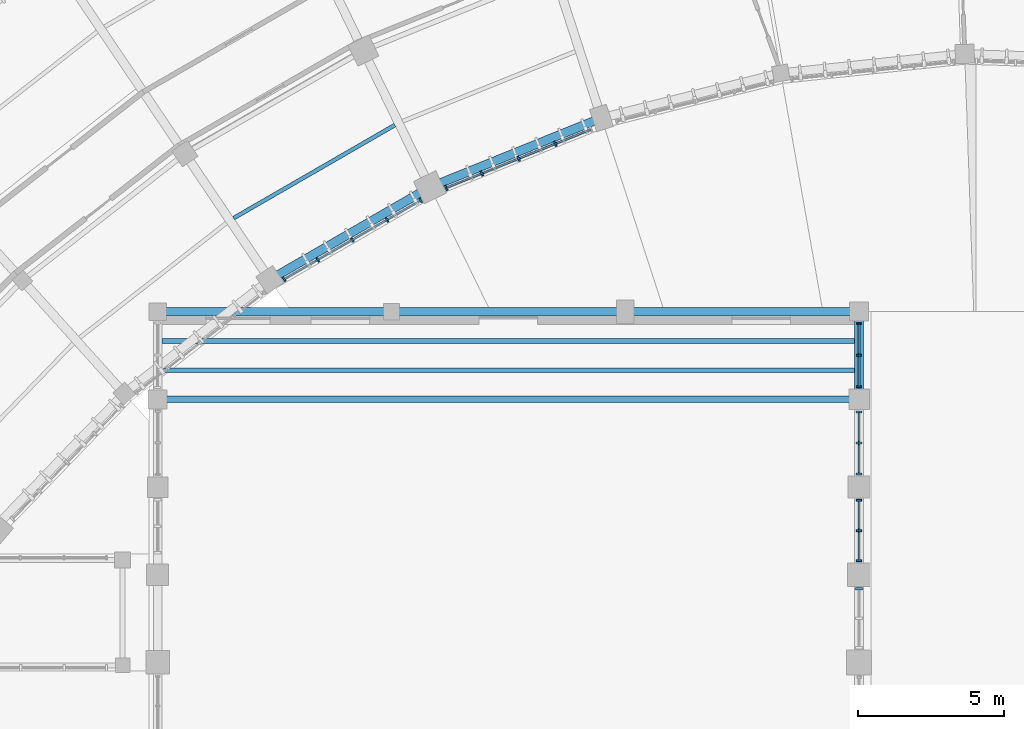
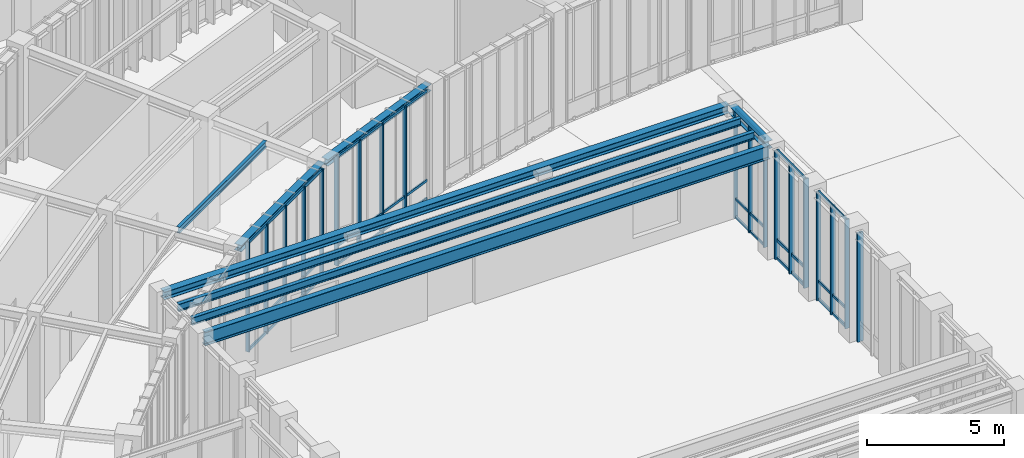
# One storey, part 13 of 68: 34 members, 8 beams, 6 elements without a shape of their own.
"""IFC4 building model written with IfcOpenShell, lengths in metres."""

from ifc_helpers import new_model, si_unit, direction, frame, origin, origin_2d, place, context, subcontext, project, spatial, rectangle, i_section, extrude, material, layer, layer_set, material_profile, profile_set, type_object, element, aggregate, save


model = new_model("IFC4")

# Units and contexts
model_context = context("Model", 3, precision=1e-05, world=origin(), true_north=direction((0.0, 1.0)))
body_context = subcontext(model_context, "Body", "Model", "MODEL_VIEW")
ifc_project = project(units=[si_unit("LENGTHUNIT", "METRE"), si_unit("AREAUNIT", "SQUARE_METRE"), si_unit("VOLUMEUNIT", "CUBIC_METRE"), si_unit("PLANEANGLEUNIT", "RADIAN"), si_unit("MASSUNIT", "GRAM", prefix="KILO"), si_unit("THERMODYNAMICTEMPERATUREUNIT", "KELVIN"), si_unit("POWERUNIT", "WATT")], contexts=[model_context])

# Site, building, storey
site_placement = place(None, origin())
site = spatial("IfcSite", under=ifc_project, at=site_placement, CompositionType="ELEMENT")
building_placement = place(site_placement, origin())
building = spatial("IfcBuilding", under=site, at=building_placement, Name="Solvatero Civic Police Headquarters", CompositionType="ELEMENT")
storey_placement = place(building_placement, origin())
storey = spatial("IfcBuildingStorey", under=building, at=storey_placement, Name="L00", CompositionType="ELEMENT", Elevation=0.0)

# Beams
ifc_material_1 = material(Name="Steel S355", Category="steel")
ifc_material_profile_1 = material_profile(ifc_material_1, i_section(OverallWidth=0.300048828125, OverallDepth=0.2900390625, WebThickness=0.008544921875, FlangeThickness=0.013916015625, FilletRadius=0.027099609375, at=origin_2d()), Name="HEA 300")
ifc_profile_set_1 = profile_set([ifc_material_profile_1], Name="Steel S355")
beam_type_1 = type_object("IfcBeamType", Name="BM-ST-HEA300", PredefinedType="SPANDREL", material=ifc_profile_set_1)
for number, where, z_axis, x_axis, name in (
    (1, (79.893310546875, 69.093017578125, 4.735107421875), (-0.927182224478, -0.374610628001, 0.0), (0.374610628001, -0.927182224478, 0.0), "Perimeter / radial spandrel beam BM-R2-L00-ARC-CIN-B04"),
    (2, (74.033203125, 66.710205078125, 4.735107421875), (-0.86603495258, -0.499983460637, 0.0), (0.499983460637, -0.86603495258, 0.0), "Perimeter / radial spandrel beam BM-R2-L00-ARC-CIN-B05"),
):
    element("IfcBeam", number, at=place(storey_placement, frame(where, z_axis=z_axis, x_axis=x_axis)), inside=storey, type_object=beam_type_1, Name=name, PredefinedType="SPANDREL", context=body_context, shape_type="SweptSolid", body=[
        extrude(i_section(OverallWidth=0.300048828125, OverallDepth=0.2900390625, WebThickness=0.008544921875, FlangeThickness=0.013916015625, FilletRadius=0.027099609375, at=origin_2d()), origin(), (0.0, 0.0, 1.0), 6.126708984375),
    ])
ifc_material_profile_2 = material_profile(ifc_material_1, i_section(OverallWidth=0.300048828125, OverallDepth=0.35009765625, WebThickness=0.010009765625, FlangeThickness=0.017578125, FilletRadius=0.027099609375, at=origin_2d()), Name="HEA 360")
ifc_profile_set_2 = profile_set([ifc_material_profile_2], Name="Steel S355")
beam_type_2 = type_object("IfcBeamType", Name="BM-ST-HEA360", PredefinedType="SPANDREL", material=ifc_profile_set_2)
beam_1_placement = place(storey_placement, frame((64.89990234375, 62.5, 4.705078125), z_axis=(1.0, 0.0, 0.0), x_axis=(0.0, 1.0, 0.0)))
element("IfcBeam", 3, at=beam_1_placement, inside=storey, type_object=beam_type_2, Name="Perimeter / radial spandrel beam BM-R2-L00-V2-GX-1-4", PredefinedType="SPANDREL", context=body_context, shape_type="SweptSolid", body=[
    extrude(i_section(OverallWidth=0.300048828125, OverallDepth=0.35009765625, WebThickness=0.010009765625, FlangeThickness=0.017578125, FilletRadius=0.027099609375, at=origin_2d()), origin(), (0.0, 0.0, 1.0), 23.800048828125),
])
beam_2_placement = place(storey_placement, frame((88.800048828125, 59.659912109375, 4.705078125), z_axis=(0.0, 1.0, 0.0), x_axis=(-1.0, 0.0, 0.0)))
element("IfcBeam", 4, at=beam_2_placement, inside=storey, type_object=beam_type_2, Name="Perimeter / radial spandrel beam BM-R2-L00-V2-GY-2-3", PredefinedType="SPANDREL", context=body_context, shape_type="SweptSolid", body=[
    extrude(i_section(OverallWidth=0.300048828125, OverallDepth=0.35009765625, WebThickness=0.010009765625, FlangeThickness=0.017578125, FilletRadius=0.027099609375, at=origin_2d()), origin(), (0.0, 0.0, 1.0), 2.68017578125),
])
ifc_material_profile_3 = material_profile(ifc_material_1, i_section(OverallWidth=0.135009765625, OverallDepth=0.27001953125, WebThickness=0.006591796875, FlangeThickness=0.01025390625, FilletRadius=0.014892578125, at=origin_2d()), Name="IPE 270")
ifc_profile_set_3 = profile_set([ifc_material_profile_3], Name="Steel S355")
beam_type_3 = type_object("IfcBeamType", Name="BM-ST-IPE270", PredefinedType="BEAM", material=ifc_profile_set_3)
beam_3_placement = place(storey_placement, frame((72.916015625, 68.887451171875, 4.7451171875), z_axis=(-0.866017059223, -0.500014452926, 0.0), x_axis=(0.500014452926, -0.866017059223, 0.0)))
element("IfcBeam", 5, at=beam_3_placement, inside=storey, type_object=beam_type_3, Name="Composite floor beam BM-R2-L00-ARC-CS1-B05", PredefinedType="BEAM", context=body_context, shape_type="SweptSolid", body=[
    extrude(i_section(OverallWidth=0.135009765625, OverallDepth=0.27001953125, WebThickness=0.006591796875, FlangeThickness=0.01025390625, FilletRadius=0.014892578125, at=origin_2d()), origin(), (0.0, 0.0, 1.0), 6.368896484375),
])
ifc_material_profile_4 = material_profile(ifc_material_1, i_section(OverallWidth=0.159912109375, OverallDepth=0.330078125, WebThickness=0.007568359375, FlangeThickness=0.011474609375, FilletRadius=0.01806640625, at=origin_2d()), Name="IPE 330")
ifc_profile_set_4 = profile_set([ifc_material_profile_4], Name="Steel S355")
beam_type_4 = type_object("IfcBeamType", Name="BM-ST-IPE330", PredefinedType="BEAM", material=ifc_profile_set_4)
for number, where, z_axis, x_axis, name in (
    (6, (64.949951171875, 60.5, 4.715087890625), (1.0, 0.0, 0.0), (0.0, 1.0, 0.0), "Composite floor beam BM-R2-L00-V2-SEC-1-3-S1"),
    (7, (64.949951171875, 61.5, 4.715087890625), (1.0, 0.0, 0.0), (0.0, 1.0, 0.0), "Composite floor beam BM-R2-L00-V2-SEC-1-3-S2"),
):
    element("IfcBeam", number, at=place(storey_placement, frame(where, z_axis=z_axis, x_axis=x_axis)), inside=storey, type_object=beam_type_4, Name=name, PredefinedType="BEAM", context=body_context, shape_type="SweptSolid", body=[
        extrude(i_section(OverallWidth=0.159912109375, OverallDepth=0.330078125, WebThickness=0.007568359375, FlangeThickness=0.011474609375, FilletRadius=0.01806640625, at=origin_2d()), origin(), (0.0, 0.0, 1.0), 23.699951171875),
    ])
ifc_material_profile_5 = material_profile(ifc_material_1, i_section(OverallWidth=0.219970703125, OverallDepth=0.60009765625, WebThickness=0.011962890625, FlangeThickness=0.01904296875, FilletRadius=0.02392578125, at=origin_2d()), Name="IPE 600")
ifc_profile_set_5 = profile_set([ifc_material_profile_5], Name="Steel S355")
beam_type_5 = type_object("IfcBeamType", Name="BM-ST-IPE600", PredefinedType="BEAM", material=ifc_profile_set_5)
beam_4_placement = place(storey_placement, frame((64.89990234375, 59.5, 4.580078125), z_axis=(1.0, 0.0, 0.0), x_axis=(0.0, 1.0, 0.0)))
element("IfcBeam", 8, at=beam_4_placement, inside=storey, type_object=beam_type_5, Name="Primary girder BM-R2-L00-V2-GX-1-3", PredefinedType="BEAM", context=body_context, shape_type="SweptSolid", body=[
    extrude(i_section(OverallWidth=0.219970703125, OverallDepth=0.60009765625, WebThickness=0.011962890625, FlangeThickness=0.01904296875, FilletRadius=0.02392578125, at=origin_2d()), origin(), (0.0, 0.0, 1.0), 23.800048828125),
])

# Curtain wall, member
ifc_material_2 = material(Name="Anodized Bronze Aluminium", Category="aluminium")
ifc_layer_1 = layer(ifc_material_2, 0.179931640625)
ifc_layer_set_1 = layer_set([ifc_layer_1], Name="Anodized Bronze Aluminium")
curtain_wall_type_1 = type_object("IfcCurtainWallType", Name="CW-HAL-GLZ", PredefinedType="USERDEFINED", material=ifc_layer_set_1)
curtain_wall_1_placement = place(storey_placement, origin())
curtain_wall_1 = element("IfcCurtainWall", 9, at=curtain_wall_1_placement, inside=storey, type_object=curtain_wall_type_1, Name="Curtain Wall CW-R2-L00-V2-E-B4", ObjectType="UNITISED", PredefinedType="USERDEFINED")
ifc_material_profile_6 = material_profile(ifc_material_2, rectangle(XDim=0.080078125, YDim=0.239990234375, at=origin_2d()), Name="ALU MULLION 80x240")
ifc_profile_set_6 = profile_set([ifc_material_profile_6], Name="Anodized Bronze Aluminium")
member_type_1 = type_object("IfcMemberType", Name="CWM-140x60", PredefinedType="MULLION", material=ifc_profile_set_6)
member_1_placement = place(storey_placement, frame((88.800048828125, 53.02001953125, 0.0), z_axis=(0.0, 0.0, 1.0), x_axis=(0.0, 1.0, 0.0)))
member_1 = element("IfcMember", 10, at=member_1_placement, type_object=member_type_1, Name="CW-R2-L00-V2-E-B4 Mullion 3", PredefinedType="MULLION", context=body_context, shape_type="SweptSolid", body=[
    extrude(rectangle(XDim=0.080078125, YDim=0.239990234375, at=origin_2d()), origin(), (0.0, 0.0, 1.0), 4.860107421875),
])
aggregate(curtain_wall_1, [member_1])

# Curtain wall, members
ifc_layer_2 = layer(ifc_material_2, 0.179931640625)
ifc_layer_set_2 = layer_set([ifc_layer_2], Name="Anodized Bronze Aluminium")
curtain_wall_type_2 = type_object("IfcCurtainWallType", Name="CW-ARC-IN", PredefinedType="USERDEFINED", material=ifc_layer_set_2)
curtain_wall_2_placement = place(storey_placement, origin())
curtain_wall_2 = element("IfcCurtainWall", 11, at=curtain_wall_2_placement, inside=storey, type_object=curtain_wall_type_2, Name="Curtain Wall CW-R2-L00-ARC-IN-B05", ObjectType="UNITISED", PredefinedType="USERDEFINED")
ifc_material_profile_7 = material_profile(ifc_material_2, rectangle(XDim=0.06005859375, YDim=0.159912109375, at=origin_2d()), Name="ALU MULLION 60x160")
ifc_profile_set_7 = profile_set([ifc_material_profile_7], Name="Anodized Bronze Aluminium")
member_type_2 = type_object("IfcMemberType", Name="CWM-180x70", PredefinedType="MULLION", material=ifc_profile_set_7)
member_2_placement = place(storey_placement, frame((73.79736328125, 66.30908203125, 0.0), z_axis=(0.0, 0.0, 1.0), x_axis=(-0.866025403784, -0.5, 0.0)))
member_2 = element("IfcMember", 12, at=member_2_placement, type_object=member_type_2, Name="CW-R2-L00-ARC-IN-B05 Mullion 1", PredefinedType="MULLION", context=body_context, shape_type="SweptSolid", body=[
    extrude(rectangle(XDim=0.06005859375, YDim=0.159912109375, at=origin_2d()), origin(), (0.0, 0.0, 1.0), 4.8798828125),
])
member_3_placement = place(storey_placement, frame((72.647216796875, 65.645263671875, 0.0), z_axis=(0.0, 0.0, 1.0), x_axis=(-0.866025403784, -0.5, 0.0)))
member_3 = element("IfcMember", 13, at=member_3_placement, type_object=member_type_2, Name="CW-R2-L00-ARC-IN-B05 Mullion 2", PredefinedType="MULLION", context=body_context, shape_type="SweptSolid", body=[
    extrude(rectangle(XDim=0.06005859375, YDim=0.159912109375, at=origin_2d()), origin(), (0.0, 0.0, 1.0), 4.8798828125),
])
member_4_placement = place(storey_placement, frame((71.46240234375, 64.961181640625, 0.0), z_axis=(0.0, 0.0, 1.0), x_axis=(-0.866025403784, -0.5, 0.0)))
member_4 = element("IfcMember", 14, at=member_4_placement, type_object=member_type_2, Name="CW-R2-L00-ARC-IN-B05 Mullion 3", PredefinedType="MULLION", context=body_context, shape_type="SweptSolid", body=[
    extrude(rectangle(XDim=0.06005859375, YDim=0.159912109375, at=origin_2d()), origin(), (0.0, 0.0, 1.0), 4.8798828125),
])
member_5_placement = place(storey_placement, frame((70.27783203125, 64.277099609375, 0.0), z_axis=(0.0, 0.0, 1.0), x_axis=(-0.866025403784, -0.5, 0.0)))
member_5 = element("IfcMember", 15, at=member_5_placement, type_object=member_type_2, Name="CW-R2-L00-ARC-IN-B05 Mullion 4", PredefinedType="MULLION", context=body_context, shape_type="SweptSolid", body=[
    extrude(rectangle(XDim=0.06005859375, YDim=0.159912109375, at=origin_2d()), origin(), (0.0, 0.0, 1.0), 4.8798828125),
])
member_6_placement = place(storey_placement, frame((69.127685546875, 63.61328125, 0.0), z_axis=(0.0, 0.0, 1.0), x_axis=(-0.866025403784, -0.5, 0.0)))
member_6 = element("IfcMember", 16, at=member_6_placement, type_object=member_type_2, Name="CW-R2-L00-ARC-IN-B05 Mullion 5", PredefinedType="MULLION", context=body_context, shape_type="SweptSolid", body=[
    extrude(rectangle(XDim=0.06005859375, YDim=0.159912109375, at=origin_2d()), origin(), (0.0, 0.0, 1.0), 4.8798828125),
])

curtain_wall_3_placement = place(storey_placement, origin())
curtain_wall_3 = element("IfcCurtainWall", 17, at=curtain_wall_3_placement, inside=storey, type_object=curtain_wall_type_1, Name="Curtain Wall CW-R2-L00-V2-E-B7", ObjectType="UNITISED", PredefinedType="USERDEFINED")
member_7_placement = place(storey_placement, frame((88.800048828125, 59.929931640625, 0.0), z_axis=(0.0, 0.0, 1.0), x_axis=(0.0, 1.0, 0.0)))
member_7 = element("IfcMember", 18, at=member_7_placement, type_object=member_type_2, Name="CW-R2-L00-V2-E-B7 Mullion 1", PredefinedType="MULLION", context=body_context, shape_type="SweptSolid", body=[
    extrude(rectangle(XDim=0.06005859375, YDim=0.159912109375, at=origin_2d()), origin(), (0.0, 0.0, 1.0), 4.860107421875),
])
member_8_placement = place(storey_placement, frame((88.800048828125, 61.012451171875, 0.0), z_axis=(0.0, 0.0, 1.0), x_axis=(0.0, 1.0, 0.0)))
member_8 = element("IfcMember", 19, at=member_8_placement, type_object=member_type_2, Name="CW-R2-L00-V2-E-B7 Mullion 2", PredefinedType="MULLION", context=body_context, shape_type="SweptSolid", body=[
    extrude(rectangle(XDim=0.06005859375, YDim=0.159912109375, at=origin_2d()), origin(), (0.0, 0.0, 1.0), 4.860107421875),
])
member_9_placement = place(storey_placement, frame((88.800048828125, 62.094970703125, 0.0), z_axis=(0.0, 0.0, 1.0), x_axis=(0.0, 1.0, 0.0)))
member_9 = element("IfcMember", 20, at=member_9_placement, type_object=member_type_2, Name="CW-R2-L00-V2-E-B7 Mullion 3", PredefinedType="MULLION", context=body_context, shape_type="SweptSolid", body=[
    extrude(rectangle(XDim=0.06005859375, YDim=0.159912109375, at=origin_2d()), origin(), (0.0, 0.0, 1.0), 4.860107421875),
])

curtain_wall_4_placement = place(storey_placement, origin())
curtain_wall_4 = element("IfcCurtainWall", 21, at=curtain_wall_4_placement, inside=storey, type_object=curtain_wall_type_2, Name="Curtain Wall CW-R2-L00-ARC-IN-B04", ObjectType="UNITISED", PredefinedType="USERDEFINED")
ifc_material_profile_8 = material_profile(ifc_material_2, rectangle(XDim=0.06494140625, YDim=0.179931640625, at=origin_2d()), Name="ALU MULLION 65x180")
ifc_profile_set_8 = profile_set([ifc_material_profile_8], Name="Anodized Bronze Aluminium")
member_type_3 = type_object("IfcMemberType", Name="CWM-200x75", PredefinedType="MULLION", material=ifc_profile_set_8)
member_10_placement = place(storey_placement, frame((78.4072265625, 68.2451171875, 0.0), z_axis=(0.0, 0.0, 1.0), x_axis=(-0.927183854567, -0.374606593416, 0.0)))
member_10 = element("IfcMember", 22, at=member_10_placement, type_object=member_type_3, Name="CW-R2-L00-ARC-IN-B04 Mullion 2", PredefinedType="MULLION", context=body_context, shape_type="SweptSolid", body=[
    extrude(rectangle(XDim=0.06494140625, YDim=0.179931640625, at=origin_2d()), origin(), (0.0, 0.0, 1.0), 4.8798828125),
])
member_11_placement = place(storey_placement, frame((77.150390625, 67.7373046875, 0.0), z_axis=(0.0, 0.0, 1.0), x_axis=(-0.927183854567, -0.374606593416, 0.0)))
member_11 = element("IfcMember", 23, at=member_11_placement, type_object=member_type_3, Name="CW-R2-L00-ARC-IN-B04 Mullion 3", PredefinedType="MULLION", context=body_context, shape_type="SweptSolid", body=[
    extrude(rectangle(XDim=0.06494140625, YDim=0.179931640625, at=origin_2d()), origin(), (0.0, 0.0, 1.0), 4.8798828125),
])
member_12_placement = place(storey_placement, frame((75.893798828125, 67.2294921875, 0.0), z_axis=(0.0, 0.0, 1.0), x_axis=(-0.927183854567, -0.374606593416, 0.0)))
member_12 = element("IfcMember", 24, at=member_12_placement, type_object=member_type_3, Name="CW-R2-L00-ARC-IN-B04 Mullion 4", PredefinedType="MULLION", context=body_context, shape_type="SweptSolid", body=[
    extrude(rectangle(XDim=0.06494140625, YDim=0.179931640625, at=origin_2d()), origin(), (0.0, 0.0, 1.0), 4.8798828125),
])
member_13_placement = place(storey_placement, frame((74.674072265625, 66.73681640625, 0.0), z_axis=(0.0, 0.0, 1.0), x_axis=(-0.927183854567, -0.374606593416, 0.0)))
member_13 = element("IfcMember", 25, at=member_13_placement, type_object=member_type_3, Name="CW-R2-L00-ARC-IN-B04 Mullion 5", PredefinedType="MULLION", context=body_context, shape_type="SweptSolid", body=[
    extrude(rectangle(XDim=0.06494140625, YDim=0.179931640625, at=origin_2d()), origin(), (0.0, 0.0, 1.0), 4.8798828125),
])

curtain_wall_5_placement = place(storey_placement, origin())
curtain_wall_5 = element("IfcCurtainWall", 26, at=curtain_wall_5_placement, inside=storey, type_object=curtain_wall_type_1, Name="Curtain Wall CW-R2-L00-V2-E-B5", ObjectType="UNITISED", PredefinedType="USERDEFINED")
member_14_placement = place(storey_placement, frame((88.800048828125, 53.97998046875, 0.0), z_axis=(0.0, 0.0, 1.0), x_axis=(0.0, 1.0, 0.0)))
member_14 = element("IfcMember", 27, at=member_14_placement, type_object=member_type_3, Name="CW-R2-L00-V2-E-B5 Mullion 1", PredefinedType="MULLION", context=body_context, shape_type="SweptSolid", body=[
    extrude(rectangle(XDim=0.06494140625, YDim=0.179931640625, at=origin_2d()), origin(), (0.0, 0.0, 1.0), 4.860107421875),
])
member_15_placement = place(storey_placement, frame((88.800048828125, 55.012451171875, 0.0), z_axis=(0.0, 0.0, 1.0), x_axis=(0.0, 1.0, 0.0)))
member_15 = element("IfcMember", 28, at=member_15_placement, type_object=member_type_3, Name="CW-R2-L00-V2-E-B5 Mullion 2", PredefinedType="MULLION", context=body_context, shape_type="SweptSolid", body=[
    extrude(rectangle(XDim=0.06494140625, YDim=0.179931640625, at=origin_2d()), origin(), (0.0, 0.0, 1.0), 4.860107421875),
])
member_16_placement = place(storey_placement, frame((88.800048828125, 56.044921875, 0.0), z_axis=(0.0, 0.0, 1.0), x_axis=(0.0, 1.0, 0.0)))
member_16 = element("IfcMember", 29, at=member_16_placement, type_object=member_type_3, Name="CW-R2-L00-V2-E-B5 Mullion 3", PredefinedType="MULLION", context=body_context, shape_type="SweptSolid", body=[
    extrude(rectangle(XDim=0.06494140625, YDim=0.179931640625, at=origin_2d()), origin(), (0.0, 0.0, 1.0), 4.860107421875),
])

curtain_wall_6_placement = place(storey_placement, origin())
curtain_wall_6 = element("IfcCurtainWall", 30, at=curtain_wall_6_placement, inside=storey, type_object=curtain_wall_type_1, Name="Curtain Wall CW-R2-L00-V2-E-B6", ObjectType="UNITISED", PredefinedType="USERDEFINED")
ifc_material_profile_9 = material_profile(ifc_material_2, rectangle(XDim=0.070068359375, YDim=0.199951171875, at=origin_2d()), Name="ALU MULLION 70x200")
ifc_profile_set_9 = profile_set([ifc_material_profile_9], Name="Anodized Bronze Aluminium")
member_type_4 = type_object("IfcMemberType", Name="CWM-220x80", PredefinedType="MULLION", material=ifc_profile_set_9)
member_17_placement = place(storey_placement, frame((88.800048828125, 56.955078125, 0.0), z_axis=(0.0, 0.0, 1.0), x_axis=(0.0, 1.0, 0.0)))
member_17 = element("IfcMember", 31, at=member_17_placement, type_object=member_type_4, Name="CW-R2-L00-V2-E-B6 Mullion 1", PredefinedType="MULLION", context=body_context, shape_type="SweptSolid", body=[
    extrude(rectangle(XDim=0.070068359375, YDim=0.199951171875, at=origin_2d()), origin(), (0.0, 0.0, 1.0), 4.860107421875),
])
member_18_placement = place(storey_placement, frame((88.800048828125, 58.012451171875, 0.0), z_axis=(0.0, 0.0, 1.0), x_axis=(0.0, 1.0, 0.0)))
member_18 = element("IfcMember", 32, at=member_18_placement, type_object=member_type_4, Name="CW-R2-L00-V2-E-B6 Mullion 2", PredefinedType="MULLION", context=body_context, shape_type="SweptSolid", body=[
    extrude(rectangle(XDim=0.070068359375, YDim=0.199951171875, at=origin_2d()), origin(), (0.0, 0.0, 1.0), 4.860107421875),
])
member_19_placement = place(storey_placement, frame((88.800048828125, 59.070068359375, 0.0), z_axis=(0.0, 0.0, 1.0), x_axis=(0.0, 1.0, 0.0)))
member_19 = element("IfcMember", 33, at=member_19_placement, type_object=member_type_4, Name="CW-R2-L00-V2-E-B6 Mullion 3", PredefinedType="MULLION", context=body_context, shape_type="SweptSolid", body=[
    extrude(rectangle(XDim=0.070068359375, YDim=0.199951171875, at=origin_2d()), origin(), (0.0, 0.0, 1.0), 4.860107421875),
])

# Member
ifc_material_profile_10 = material_profile(ifc_material_2, rectangle(XDim=0.06005859375, YDim=0.110107421875, at=origin_2d()), Name="ALU TRANSOM 60x110")
ifc_profile_set_10 = profile_set([ifc_material_profile_10], Name="Anodized Bronze Aluminium")
member_type_5 = type_object("IfcMemberType", Name="CWT-140x60", PredefinedType="USERDEFINED", material=ifc_profile_set_10)
member_20_placement = place(storey_placement, frame((79.61767578125, 68.734130859375, 0.0400390625), z_axis=(-0.927180254302, -0.374615504261, 0.0), x_axis=(0.374615504261, -0.927180254302, 0.0)))
member_20 = element("IfcMember", 34, at=member_20_placement, type_object=member_type_5, Name="CW-R2-L00-ARC-IN-B04 Transom 1", ObjectType="TRANSOM", PredefinedType="USERDEFINED", context=body_context, shape_type="SweptSolid", body=[
    extrude(rectangle(XDim=0.06005859375, YDim=0.110107421875, at=origin_2d()), origin(), (0.0, 0.0, 1.0), 5.32177734375),
])

member_21_placement = place(storey_placement, frame((79.61767578125, 68.734130859375, 0.85009765625), z_axis=(-0.927180254302, -0.374615504261, 0.0), x_axis=(0.374615504261, -0.927180254302, 0.0)))
member_21 = element("IfcMember", 35, at=member_21_placement, type_object=member_type_5, Name="CW-R2-L00-ARC-IN-B04 Transom 2", ObjectType="TRANSOM", PredefinedType="USERDEFINED", context=body_context, shape_type="SweptSolid", body=[
    extrude(rectangle(XDim=0.06005859375, YDim=0.110107421875, at=origin_2d()), origin(), (0.0, 0.0, 1.0), 5.32177734375),
])

member_22_placement = place(storey_placement, frame((79.61767578125, 68.734130859375, 4.840087890625), z_axis=(-0.927180254302, -0.374615504261, 0.0), x_axis=(0.374615504261, -0.927180254302, 0.0)))
member_22 = element("IfcMember", 36, at=member_22_placement, type_object=member_type_5, Name="CW-R2-L00-ARC-IN-B04 Transom 3", ObjectType="TRANSOM", PredefinedType="USERDEFINED", context=body_context, shape_type="SweptSolid", body=[
    extrude(rectangle(XDim=0.06005859375, YDim=0.110107421875, at=origin_2d()), origin(), (0.0, 0.0, 1.0), 5.32177734375),
])

aggregate(curtain_wall_4, [member_10, member_11, member_12, member_13, member_20, member_21, member_22])

member_23_placement = place(storey_placement, frame((88.800048828125, 59.93994140625, 0.0400390625), z_axis=(0.0, 1.0, 0.0), x_axis=(-1.0, 0.0, 0.0)))
member_23 = element("IfcMember", 37, at=member_23_placement, type_object=member_type_5, Name="CW-R2-L00-V2-E-B7 Transom 1", ObjectType="TRANSOM", PredefinedType="USERDEFINED", context=body_context, shape_type="SweptSolid", body=[
    extrude(rectangle(XDim=0.06005859375, YDim=0.110107421875, at=origin_2d()), origin(), (0.0, 0.0, 1.0), 2.14501953125),
])

member_24_placement = place(storey_placement, frame((88.800048828125, 59.93994140625, 0.85009765625), z_axis=(0.0, 1.0, 0.0), x_axis=(-1.0, 0.0, 0.0)))
member_24 = element("IfcMember", 38, at=member_24_placement, type_object=member_type_5, Name="CW-R2-L00-V2-E-B7 Transom 2", ObjectType="TRANSOM", PredefinedType="USERDEFINED", context=body_context, shape_type="SweptSolid", body=[
    extrude(rectangle(XDim=0.06005859375, YDim=0.110107421875, at=origin_2d()), origin(), (0.0, 0.0, 1.0), 2.14501953125),
])

member_25_placement = place(storey_placement, frame((88.800048828125, 59.93994140625, 4.820068359375), z_axis=(0.0, 1.0, 0.0), x_axis=(-1.0, 0.0, 0.0)))
member_25 = element("IfcMember", 39, at=member_25_placement, type_object=member_type_5, Name="CW-R2-L00-V2-E-B7 Transom 3", ObjectType="TRANSOM", PredefinedType="USERDEFINED", context=body_context, shape_type="SweptSolid", body=[
    extrude(rectangle(XDim=0.06005859375, YDim=0.110107421875, at=origin_2d()), origin(), (0.0, 0.0, 1.0), 2.14501953125),
])

aggregate(curtain_wall_3, [member_7, member_8, member_9, member_23, member_24, member_25])

ifc_material_profile_11 = material_profile(ifc_material_2, rectangle(XDim=0.06005859375, YDim=0.125, at=origin_2d()), Name="ALU TRANSOM 60x125")
ifc_profile_set_11 = profile_set([ifc_material_profile_11], Name="Anodized Bronze Aluminium")
member_type_6 = type_object("IfcMemberType", Name="CWT-160x65", PredefinedType="USERDEFINED", material=ifc_profile_set_11)
member_26_placement = place(storey_placement, frame((73.78857421875, 66.30419921875, 0.0400390625), z_axis=(-0.866013780368, -0.500020131808, 0.0), x_axis=(0.500020131808, -0.866013780368, 0.0)))
member_26 = element("IfcMember", 40, at=member_26_placement, type_object=member_type_6, Name="CW-R2-L00-ARC-IN-B05 Transom 1", ObjectType="TRANSOM", PredefinedType="USERDEFINED", context=body_context, shape_type="SweptSolid", body=[
    extrude(rectangle(XDim=0.06005859375, YDim=0.125, at=origin_2d()), origin(), (0.0, 0.0, 1.0), 5.371826171875),
])

member_27_placement = place(storey_placement, frame((73.78857421875, 66.30419921875, 0.85009765625), z_axis=(-0.866013780368, -0.500020131808, 0.0), x_axis=(0.500020131808, -0.866013780368, 0.0)))
member_27 = element("IfcMember", 41, at=member_27_placement, type_object=member_type_6, Name="CW-R2-L00-ARC-IN-B05 Transom 2", ObjectType="TRANSOM", PredefinedType="USERDEFINED", context=body_context, shape_type="SweptSolid", body=[
    extrude(rectangle(XDim=0.06005859375, YDim=0.125, at=origin_2d()), origin(), (0.0, 0.0, 1.0), 5.371826171875),
])

member_28_placement = place(storey_placement, frame((73.78857421875, 66.30419921875, 4.840087890625), z_axis=(-0.866013780368, -0.500020131808, 0.0), x_axis=(0.500020131808, -0.866013780368, 0.0)))
member_28 = element("IfcMember", 42, at=member_28_placement, type_object=member_type_6, Name="CW-R2-L00-ARC-IN-B05 Transom 3", ObjectType="TRANSOM", PredefinedType="USERDEFINED", context=body_context, shape_type="SweptSolid", body=[
    extrude(rectangle(XDim=0.06005859375, YDim=0.125, at=origin_2d()), origin(), (0.0, 0.0, 1.0), 5.371826171875),
])

aggregate(curtain_wall_2, [member_2, member_3, member_4, member_5, member_6, member_26, member_27, member_28])

member_29_placement = place(storey_placement, frame((88.800048828125, 53.989990234375, 0.0400390625), z_axis=(0.0, 1.0, 0.0), x_axis=(-1.0, 0.0, 0.0)))
member_29 = element("IfcMember", 43, at=member_29_placement, type_object=member_type_6, Name="CW-R2-L00-V2-E-B5 Transom 1", ObjectType="TRANSOM", PredefinedType="USERDEFINED", context=body_context, shape_type="SweptSolid", body=[
    extrude(rectangle(XDim=0.06005859375, YDim=0.125, at=origin_2d()), origin(), (0.0, 0.0, 1.0), 2.044921875),
])

member_30_placement = place(storey_placement, frame((88.800048828125, 53.989990234375, 0.85009765625), z_axis=(0.0, 1.0, 0.0), x_axis=(-1.0, 0.0, 0.0)))
member_30 = element("IfcMember", 44, at=member_30_placement, type_object=member_type_6, Name="CW-R2-L00-V2-E-B5 Transom 2", ObjectType="TRANSOM", PredefinedType="USERDEFINED", context=body_context, shape_type="SweptSolid", body=[
    extrude(rectangle(XDim=0.06005859375, YDim=0.125, at=origin_2d()), origin(), (0.0, 0.0, 1.0), 2.044921875),
])

member_31_placement = place(storey_placement, frame((88.800048828125, 53.989990234375, 4.820068359375), z_axis=(0.0, 1.0, 0.0), x_axis=(-1.0, 0.0, 0.0)))
member_31 = element("IfcMember", 45, at=member_31_placement, type_object=member_type_6, Name="CW-R2-L00-V2-E-B5 Transom 3", ObjectType="TRANSOM", PredefinedType="USERDEFINED", context=body_context, shape_type="SweptSolid", body=[
    extrude(rectangle(XDim=0.06005859375, YDim=0.125, at=origin_2d()), origin(), (0.0, 0.0, 1.0), 2.044921875),
])

aggregate(curtain_wall_5, [member_14, member_15, member_16, member_29, member_30, member_31])

ifc_material_profile_12 = material_profile(ifc_material_2, rectangle(XDim=0.06494140625, YDim=0.139892578125, at=origin_2d()), Name="ALU TRANSOM 65x140")
ifc_profile_set_12 = profile_set([ifc_material_profile_12], Name="Anodized Bronze Aluminium")
member_type_7 = type_object("IfcMemberType", Name="CWT-180x70", PredefinedType="USERDEFINED", material=ifc_profile_set_12)
member_32_placement = place(storey_placement, frame((88.800048828125, 56.965087890625, 0.0400390625), z_axis=(0.0, 1.0, 0.0), x_axis=(-1.0, 0.0, 0.0)))
member_32 = element("IfcMember", 46, at=member_32_placement, type_object=member_type_7, Name="CW-R2-L00-V2-E-B6 Transom 1", ObjectType="TRANSOM", PredefinedType="USERDEFINED", context=body_context, shape_type="SweptSolid", body=[
    extrude(rectangle(XDim=0.06494140625, YDim=0.139892578125, at=origin_2d()), origin(), (0.0, 0.0, 1.0), 2.094970703125),
])

member_33_placement = place(storey_placement, frame((88.800048828125, 56.965087890625, 0.85009765625), z_axis=(0.0, 1.0, 0.0), x_axis=(-1.0, 0.0, 0.0)))
member_33 = element("IfcMember", 47, at=member_33_placement, type_object=member_type_7, Name="CW-R2-L00-V2-E-B6 Transom 2", ObjectType="TRANSOM", PredefinedType="USERDEFINED", context=body_context, shape_type="SweptSolid", body=[
    extrude(rectangle(XDim=0.06494140625, YDim=0.139892578125, at=origin_2d()), origin(), (0.0, 0.0, 1.0), 2.094970703125),
])

member_34_placement = place(storey_placement, frame((88.800048828125, 56.965087890625, 4.820068359375), z_axis=(0.0, 1.0, 0.0), x_axis=(-1.0, 0.0, 0.0)))
member_34 = element("IfcMember", 48, at=member_34_placement, type_object=member_type_7, Name="CW-R2-L00-V2-E-B6 Transom 3", ObjectType="TRANSOM", PredefinedType="USERDEFINED", context=body_context, shape_type="SweptSolid", body=[
    extrude(rectangle(XDim=0.06494140625, YDim=0.139892578125, at=origin_2d()), origin(), (0.0, 0.0, 1.0), 2.094970703125),
])

aggregate(curtain_wall_6, [member_17, member_18, member_19, member_32, member_33, member_34])

save(model, "model.ifc")
